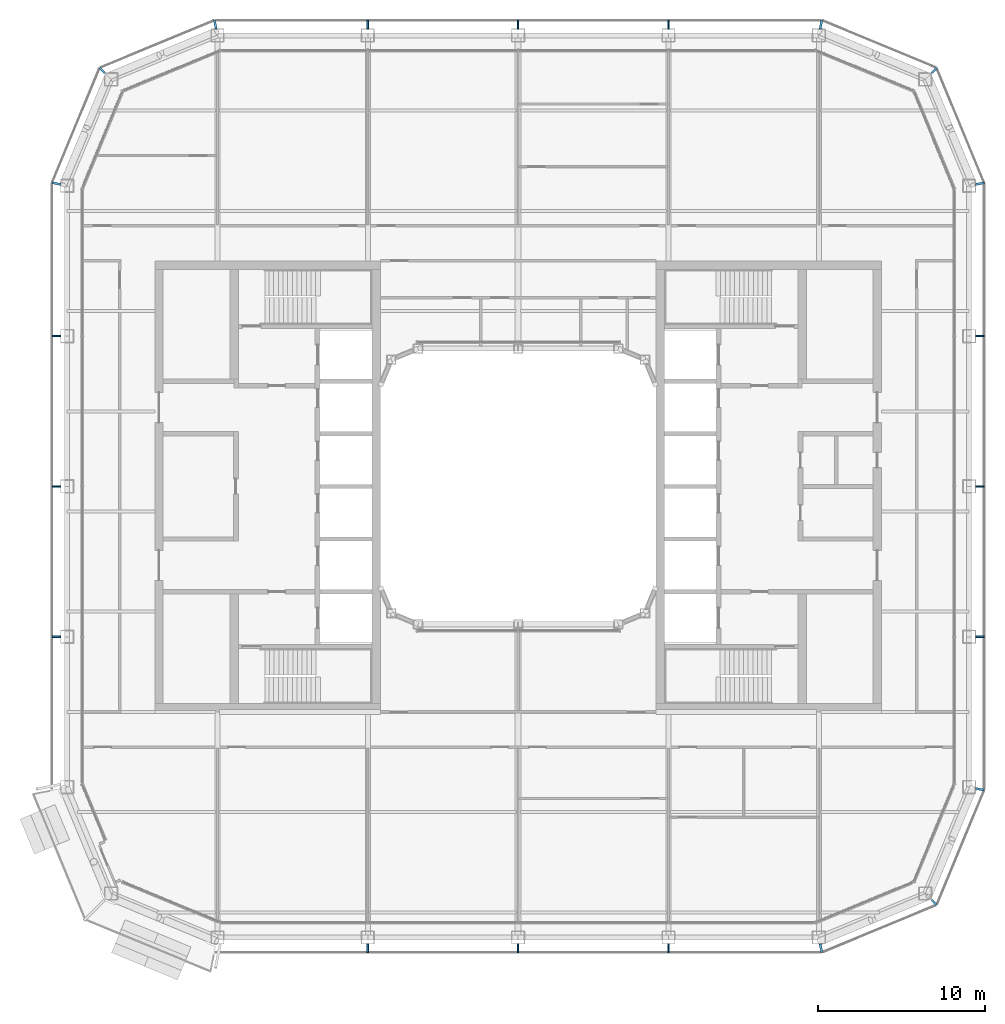
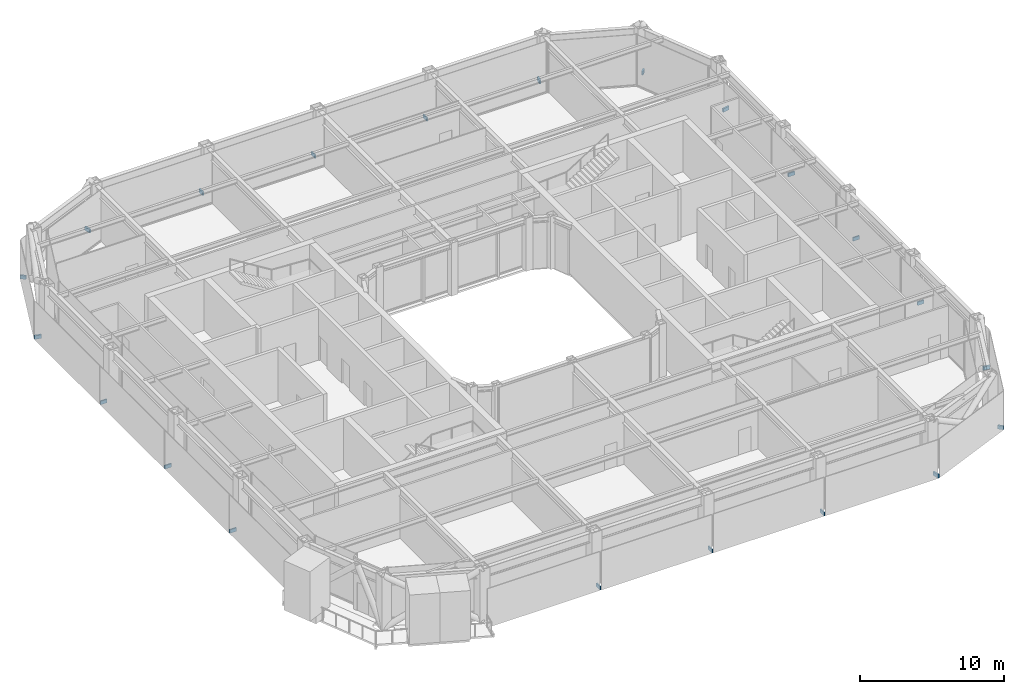
# One storey, part 18 of 23: 21 discrete accessories.
"""IFC4 building model written with IfcOpenShell, lengths in metres."""

from ifc_helpers import new_model, si_unit, direction, frame, origin, origin_2d, place, context, subcontext, project, spatial, rectangle, extrude, material, type_object, element, save


model = new_model("IFC4")

# Units and contexts
model_context = context("Model", 3, precision=1e-05, world=origin(), true_north=direction((0.0, 1.0)))
body_context = subcontext(model_context, "Body", "Model", "MODEL_VIEW")
ifc_project = project(units=[si_unit("LENGTHUNIT", "METRE"), si_unit("AREAUNIT", "SQUARE_METRE"), si_unit("VOLUMEUNIT", "CUBIC_METRE"), si_unit("PLANEANGLEUNIT", "RADIAN"), si_unit("MASSUNIT", "GRAM", prefix="KILO")], contexts=[model_context])

# Site, building, storey
site_placement = place(None, origin())
site = spatial("IfcSite", under=ifc_project, at=site_placement, CompositionType="ELEMENT")
building_placement = place(site_placement, origin())
building = spatial("IfcBuilding", under=site, at=building_placement, Name="Siwar Civic Tower", CompositionType="ELEMENT")
storey_placement = place(building_placement, frame((0.0, 0.0, 269.199951171875)))
storey = spatial("IfcBuildingStorey", under=building, at=storey_placement, Name="L58", CompositionType="ELEMENT", Elevation=269.199951171875)

# Discrete accessories
ifc_material = material(Name="Stainless steel 316", Category="steel")
discrete_accessory_type = type_object("IfcDiscreteAccessoryType", Name="ENV-BRACKET", PredefinedType="BRACKET", material=ifc_material)
for number, where, z_axis, x_axis, name in (
    (1, (27.639892578125, -9.0, -0.14990234375), (0.0, 0.0, 1.0), (1.0, 0.0, 0.0), "Bracket outer skin joint E-01"),
    (2, (27.639892578125, 0.0, -0.14990234375), (0.0, 0.0, 1.0), (1.0, 0.0, 0.0), "Bracket outer skin joint E-02"),
    (3, (27.639892578125, 9.0, -0.14990234375), (0.0, 0.0, 1.0), (1.0, 0.0, 0.0), "Bracket outer skin joint E-03"),
    (4, (9.0, 27.639892578125, -0.14990234375), (0.0, 0.0, 1.0), (0.0, 1.0, 0.0), "Bracket outer skin joint N-01"),
    (5, (0.0, 27.639892578125, -0.14990234375), (0.0, 0.0, 1.0), (0.0, 1.0, 0.0), "Bracket outer skin joint N-02"),
    (6, (-9.0, 27.639892578125, -0.14990234375), (0.0, 0.0, 1.0), (0.0, 1.0, 0.0), "Bracket outer skin joint N-03"),
    (7, (-9.0, -27.639892578125, -0.14990234375), (0.0, 0.0, 1.0), (0.0, -1.0, 0.0), "Bracket outer skin joint S-01"),
    (8, (0.0, -27.639892578125, -0.14990234375), (0.0, 0.0, 1.0), (0.0, -1.0, 0.0), "Bracket outer skin joint S-02"),
    (9, (9.0, -27.639892578125, -0.14990234375), (0.0, 0.0, 1.0), (0.0, -1.0, 0.0), "Bracket outer skin joint S-03"),
):
    element("IfcDiscreteAccessory", number, at=place(storey_placement, frame(where, z_axis=z_axis, x_axis=x_axis)), inside=storey, type_object=discrete_accessory_type, Name=name, PredefinedType="BRACKET", context=body_context, shape_type="SweptSolid", body=[
        extrude(rectangle(XDim=0.52001953125, YDim=0.10009765625, at=origin_2d()), origin(), (0.0, 0.0, 1.0), 0.300048828125),
    ])
discrete_accessory_1_placement = place(storey_placement, frame((18.12744140625, -27.64013671875, -0.14990234375), z_axis=(0.0, 0.0, 1.0), x_axis=(0.195090322016, -0.980785280403, 0.0)))
element("IfcDiscreteAccessory", 10, at=discrete_accessory_1_placement, inside=storey, type_object=discrete_accessory_type, Name="Bracket outer skin joint V01", PredefinedType="BRACKET", context=body_context, shape_type="SweptSolid", body=[
    extrude(rectangle(XDim=0.52978515625, YDim=0.13720703125, at=origin_2d()), origin(), (0.0, 0.0, 1.0), 0.300048828125),
])
discrete_accessory_2_placement = place(storey_placement, frame((24.9013671875, -24.9013671875, -0.14990234375), z_axis=(0.0, 0.0, 1.0), x_axis=(0.707106781187, -0.707106781187, 0.0)))
element("IfcDiscreteAccessory", 11, at=discrete_accessory_2_placement, inside=storey, type_object=discrete_accessory_type, Name="Bracket outer skin joint V02", PredefinedType="BRACKET", context=body_context, shape_type="SweptSolid", body=[
    extrude(rectangle(XDim=0.428466796875, YDim=0.12939453125, at=origin_2d()), origin(), (0.0, 0.0, 1.0), 0.300048828125),
])
for number, where, z_axis, x_axis, name in (
    (12, (27.64013671875, -18.12744140625, -0.14990234375), (0.0, 0.0, 1.0), (0.980785280403, -0.195090322016, 0.0), "Bracket outer skin joint V03"),
    (13, (27.64013671875, 18.12744140625, -0.14990234375), (0.0, 0.0, 1.0), (0.980785280403, 0.195090322016, 0.0), "Bracket outer skin joint V04"),
):
    element("IfcDiscreteAccessory", number, at=place(storey_placement, frame(where, z_axis=z_axis, x_axis=x_axis)), inside=storey, type_object=discrete_accessory_type, Name=name, PredefinedType="BRACKET", context=body_context, shape_type="SweptSolid", body=[
        extrude(rectangle(XDim=0.52978515625, YDim=0.13720703125, at=origin_2d()), origin(), (0.0, 0.0, 1.0), 0.300048828125),
    ])
discrete_accessory_3_placement = place(storey_placement, frame((24.9013671875, 24.9013671875, -0.14990234375), z_axis=(0.0, 0.0, 1.0), x_axis=(0.707106781187, 0.707106781187, 0.0)))
element("IfcDiscreteAccessory", 14, at=discrete_accessory_3_placement, inside=storey, type_object=discrete_accessory_type, Name="Bracket outer skin joint V05", PredefinedType="BRACKET", context=body_context, shape_type="SweptSolid", body=[
    extrude(rectangle(XDim=0.428466796875, YDim=0.12939453125, at=origin_2d()), origin(), (0.0, 0.0, 1.0), 0.300048828125),
])
for number, where, z_axis, x_axis, name in (
    (15, (18.12744140625, 27.64013671875, -0.14990234375), (0.0, 0.0, 1.0), (0.195090322016, 0.980785280403, 0.0), "Bracket outer skin joint V06"),
    (16, (-18.12744140625, 27.64013671875, -0.14990234375), (0.0, 0.0, 1.0), (-0.195090322016, 0.980785280403, 0.0), "Bracket outer skin joint V07"),
):
    element("IfcDiscreteAccessory", number, at=place(storey_placement, frame(where, z_axis=z_axis, x_axis=x_axis)), inside=storey, type_object=discrete_accessory_type, Name=name, PredefinedType="BRACKET", context=body_context, shape_type="SweptSolid", body=[
        extrude(rectangle(XDim=0.52978515625, YDim=0.13720703125, at=origin_2d()), origin(), (0.0, 0.0, 1.0), 0.300048828125),
    ])
discrete_accessory_4_placement = place(storey_placement, frame((-24.9013671875, 24.9013671875, -0.14990234375), z_axis=(0.0, 0.0, 1.0), x_axis=(-0.707106781187, 0.707106781187, 0.0)))
element("IfcDiscreteAccessory", 17, at=discrete_accessory_4_placement, inside=storey, type_object=discrete_accessory_type, Name="Bracket outer skin joint V08", PredefinedType="BRACKET", context=body_context, shape_type="SweptSolid", body=[
    extrude(rectangle(XDim=0.428466796875, YDim=0.12939453125, at=origin_2d()), origin(), (0.0, 0.0, 1.0), 0.300048828125),
])
discrete_accessory_5_placement = place(storey_placement, frame((-27.64013671875, 18.12744140625, -0.14990234375), z_axis=(0.0, 0.0, 1.0), x_axis=(-0.980785280403, 0.195090322016, 0.0)))
element("IfcDiscreteAccessory", 18, at=discrete_accessory_5_placement, inside=storey, type_object=discrete_accessory_type, Name="Bracket outer skin joint V09", PredefinedType="BRACKET", context=body_context, shape_type="SweptSolid", body=[
    extrude(rectangle(XDim=0.52978515625, YDim=0.13720703125, at=origin_2d()), origin(), (0.0, 0.0, 1.0), 0.300048828125),
])
for number, where, z_axis, x_axis, name in (
    (19, (-27.639892578125, 9.0, -0.14990234375), (0.0, 0.0, 1.0), (-1.0, 0.0, 0.0), "Bracket outer skin joint W-01"),
    (20, (-27.639892578125, 0.0, -0.14990234375), (0.0, 0.0, 1.0), (-1.0, 0.0, 0.0), "Bracket outer skin joint W-02"),
    (21, (-27.639892578125, -9.0, -0.14990234375), (0.0, 0.0, 1.0), (-1.0, 0.0, 0.0), "Bracket outer skin joint W-03"),
):
    element("IfcDiscreteAccessory", number, at=place(storey_placement, frame(where, z_axis=z_axis, x_axis=x_axis)), inside=storey, type_object=discrete_accessory_type, Name=name, PredefinedType="BRACKET", context=body_context, shape_type="SweptSolid", body=[
        extrude(rectangle(XDim=0.52001953125, YDim=0.10009765625, at=origin_2d()), origin(), (0.0, 0.0, 1.0), 0.300048828125),
    ])

save(model, "model.ifc")
